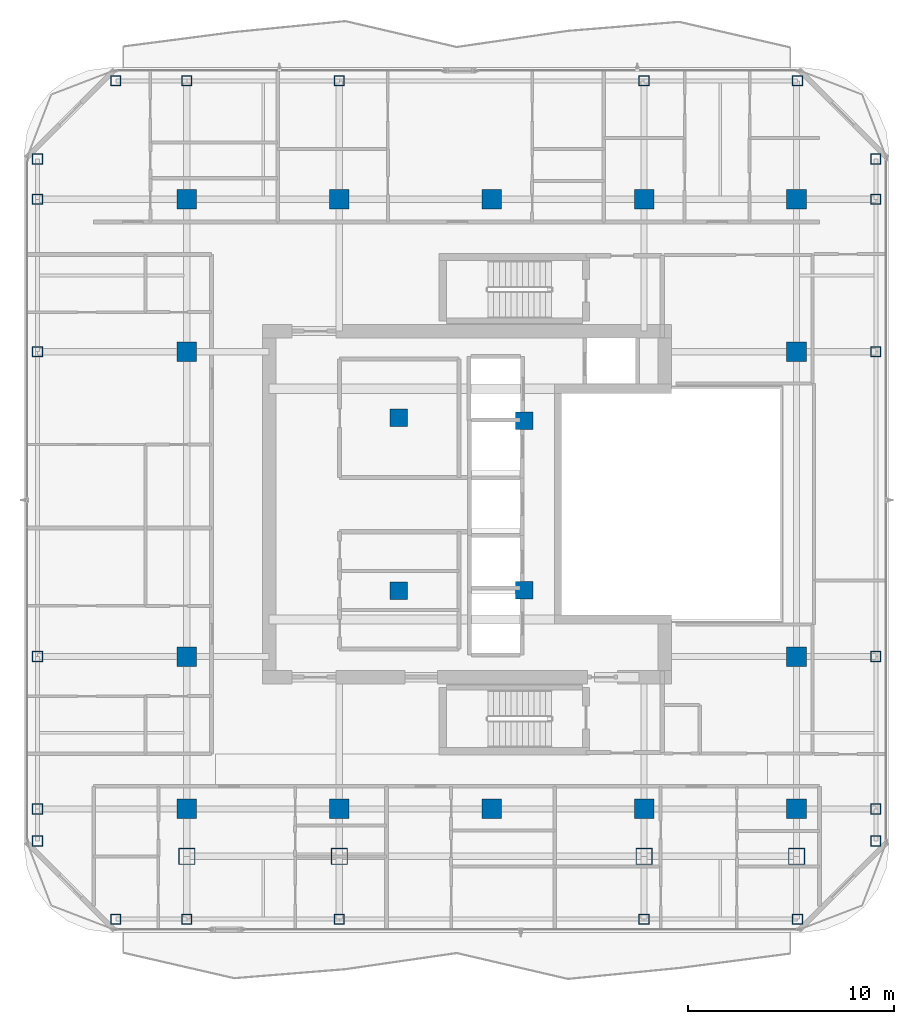
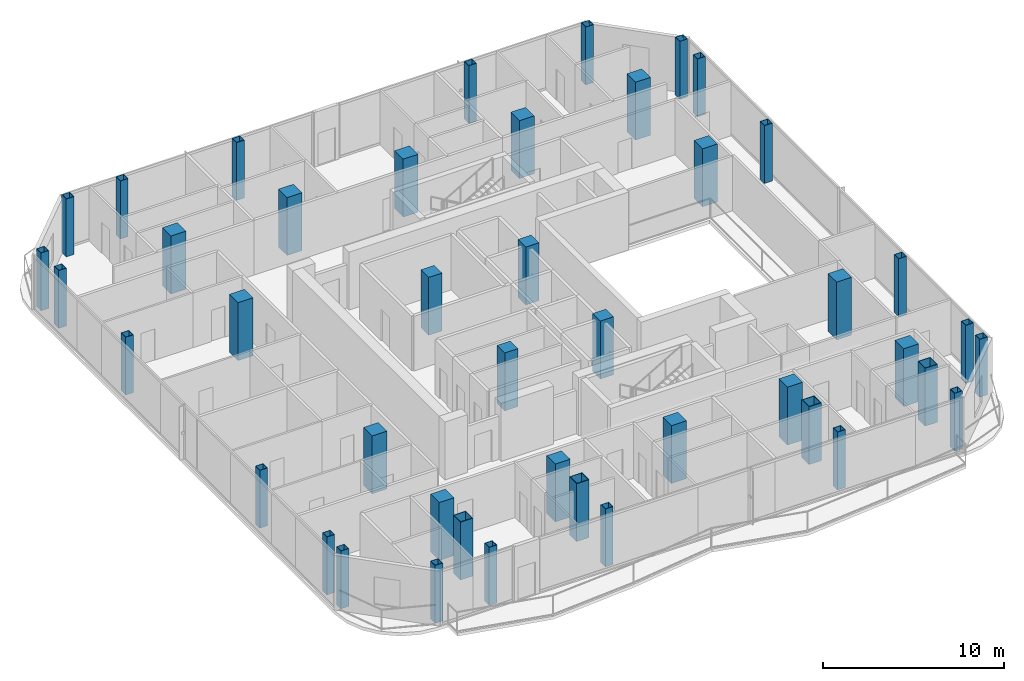
# One storey, part 1 of 26: 44 columns.
"""IFC4 building model written with IfcOpenShell, lengths in metres."""

from ifc_helpers import new_model, si_unit, direction, frame, origin, origin_2d, place, context, subcontext, project, spatial, rectangle, hollow_rectangle, extrude, material, material_profile, profile_set, type_object, element, save


model = new_model("IFC4")

# Units and contexts
model_context = context("Model", 3, precision=1e-05, world=origin(), true_north=direction((0.0, 1.0)))
body_context = subcontext(model_context, "Body", "Model", "MODEL_VIEW")
ifc_project = project(units=[si_unit("LENGTHUNIT", "METRE"), si_unit("AREAUNIT", "SQUARE_METRE"), si_unit("VOLUMEUNIT", "CUBIC_METRE"), si_unit("PLANEANGLEUNIT", "RADIAN"), si_unit("MASSUNIT", "GRAM", prefix="KILO")], contexts=[model_context])

# Site, building, storey
site_placement = place(None, origin())
site = spatial("IfcSite", under=ifc_project, at=site_placement, CompositionType="ELEMENT")
building_placement = place(site_placement, origin())
building = spatial("IfcBuilding", under=site, at=building_placement, Name="Khorvyn Point Tower", CompositionType="ELEMENT")
storey_placement = place(building_placement, frame((0.0, 0.0, 289.800048828125)))
storey = spatial("IfcBuildingStorey", under=building, at=storey_placement, Name="L71", CompositionType="ELEMENT", Elevation=289.800048828125)

# Columns
ifc_material_1 = material(Name="Concrete C40/50", Category="concrete")
ifc_material_profile_1 = material_profile(ifc_material_1, rectangle(XDim=0.85009765625, YDim=0.85009765625, at=origin_2d()))
ifc_profile_set_1 = profile_set([ifc_material_profile_1], Name="Concrete C40/50 RC850x850")
column_type_1 = type_object("IfcColumnType", Name="Concrete C40/50 Column RC850x850", PredefinedType="COLUMN", material=ifc_profile_set_1)
for number, where, z_axis, x_axis, name in (
    (1, (-4.52001953125, -4.199951171875, 0.0), (0.0, 0.0, 1.0), (1.0, 0.0, 0.0), "L71 Crown Core Spine Column 1"),
    (2, (1.580078125, -4.179931640625, 0.0), (0.0, 0.0, 1.0), (1.0, 0.0, 0.0), "L71 Crown Core Spine Column 2"),
    (3, (1.580078125, 4.050048828125, 0.0), (0.0, 0.0, 1.0), (1.0, 0.0, 0.0), "L71 Crown Core Spine Column 3"),
    (4, (-4.52001953125, 4.199951171875, 0.0), (0.0, 0.0, 1.0), (1.0, 0.0, 0.0), "L71 Crown Core Spine Column 4"),
):
    element("IfcColumn", number, at=place(storey_placement, frame(where, z_axis=z_axis, x_axis=x_axis)), inside=storey, type_object=column_type_1, Name=name, PredefinedType="COLUMN", context=body_context, shape_type="SweptSolid", body=[
        extrude(rectangle(XDim=0.85009765625, YDim=0.85009765625, at=origin_2d()), origin(), (0.0, 0.0, 1.0), 3.89990234375),
    ])
ifc_material_profile_2 = material_profile(ifc_material_1, rectangle(XDim=0.949951171875, YDim=0.949951171875, at=origin_2d()))
ifc_profile_set_2 = profile_set([ifc_material_profile_2], Name="Concrete C40/50 RC950x950")
column_type_2 = type_object("IfcColumnType", Name="Concrete C40/50 Column RC950x950", PredefinedType="COLUMN", material=ifc_profile_set_2)
for number, where, z_axis, x_axis, name in (
    (5, (-14.800048828125, -14.800048828125, 0.0), (0.0, 0.0, 1.0), (1.0, 0.0, 0.0), "L71 Mega-Column MC-01"),
    (6, (-7.39990234375, -14.800048828125, 0.0), (0.0, 0.0, 1.0), (1.0, 0.0, 0.0), "L71 Mega-Column MC-02"),
    (7, (0.0, -14.800048828125, 0.0), (0.0, 0.0, 1.0), (1.0, 0.0, 0.0), "L71 Mega-Column MC-03"),
    (8, (7.39990234375, -14.800048828125, 0.0), (0.0, 0.0, 1.0), (1.0, 0.0, 0.0), "L71 Mega-Column MC-04"),
    (9, (14.800048828125, -14.800048828125, 0.0), (0.0, 0.0, 1.0), (1.0, 0.0, 0.0), "L71 Mega-Column MC-05"),
    (10, (-14.800048828125, 14.800048828125, 0.0), (0.0, 0.0, 1.0), (1.0, 0.0, 0.0), "L71 Mega-Column MC-06"),
    (11, (-7.39990234375, 14.800048828125, 0.0), (0.0, 0.0, 1.0), (1.0, 0.0, 0.0), "L71 Mega-Column MC-07"),
    (12, (0.0, 14.800048828125, 0.0), (0.0, 0.0, 1.0), (1.0, 0.0, 0.0), "L71 Mega-Column MC-08"),
    (13, (7.39990234375, 14.800048828125, 0.0), (0.0, 0.0, 1.0), (1.0, 0.0, 0.0), "L71 Mega-Column MC-09"),
    (14, (14.800048828125, 14.800048828125, 0.0), (0.0, 0.0, 1.0), (1.0, 0.0, 0.0), "L71 Mega-Column MC-10"),
    (15, (-14.800048828125, -7.39990234375, 0.0), (0.0, 0.0, 1.0), (1.0, 0.0, 0.0), "L71 Mega-Column MC-11"),
    (16, (-14.800048828125, 7.39990234375, 0.0), (0.0, 0.0, 1.0), (1.0, 0.0, 0.0), "L71 Mega-Column MC-12"),
    (17, (14.800048828125, -7.39990234375, 0.0), (0.0, 0.0, 1.0), (1.0, 0.0, 0.0), "L71 Mega-Column MC-13"),
    (18, (14.800048828125, 7.39990234375, 0.0), (0.0, 0.0, 1.0), (1.0, 0.0, 0.0), "L71 Mega-Column MC-14"),
):
    element("IfcColumn", number, at=place(storey_placement, frame(where, z_axis=z_axis, x_axis=x_axis)), inside=storey, type_object=column_type_2, Name=name, PredefinedType="COLUMN", context=body_context, shape_type="SweptSolid", body=[
        extrude(rectangle(XDim=0.949951171875, YDim=0.949951171875, at=origin_2d()), origin(), (0.0, 0.0, 1.0), 3.89990234375),
    ])
ifc_material_2 = material(Name="Steel S355", Category="steel")
ifc_material_profile_3 = material_profile(ifc_material_2, hollow_rectangle(XDim=0.5, YDim=0.5, WallThickness=0.02490234375, at=origin_2d()))
ifc_profile_set_3 = profile_set([ifc_material_profile_3], Name="Steel S355 BOX500x500x25")
column_type_3 = type_object("IfcColumnType", Name="Steel S355 Structural Column BOX500x500x25", PredefinedType="COLUMN", material=ifc_profile_set_3)
for number, where, z_axis, x_axis, name in (
    (19, (-18.25, -20.14990234375, 0.0), (0.0, 0.0, 1.0), (1.0, 0.0, 0.0), "L71 Perimeter Tube Column TC-01"),
    (20, (14.85009765625, -20.14990234375, 0.0), (0.0, 0.0, 1.0), (1.0, 0.0, 0.0), "L71 Perimeter Tube Column TC-02"),
    (21, (-18.25, 20.550048828125, 0.0), (0.0, 0.0, 1.0), (1.0, 0.0, 0.0), "L71 Perimeter Tube Column TC-03"),
    (22, (14.85009765625, 20.550048828125, 0.0), (0.0, 0.0, 1.0), (1.0, 0.0, 0.0), "L71 Perimeter Tube Column TC-04"),
    (23, (-22.050048828125, -16.35009765625, 0.0), (0.0, 0.0, 1.0), (1.0, 0.0, 0.0), "L71 Perimeter Tube Column TC-05"),
    (24, (-22.050048828125, 16.75, 0.0), (0.0, 0.0, 1.0), (1.0, 0.0, 0.0), "L71 Perimeter Tube Column TC-06"),
    (25, (18.64990234375, -16.35009765625, 0.0), (0.0, 0.0, 1.0), (1.0, 0.0, 0.0), "L71 Perimeter Tube Column TC-07"),
    (26, (18.64990234375, 16.75, 0.0), (0.0, 0.0, 1.0), (1.0, 0.0, 0.0), "L71 Perimeter Tube Column TC-08"),
    (27, (-14.800048828125, -20.14990234375, 0.0), (0.0, 0.0, 1.0), (1.0, 0.0, 0.0), "L71 Perimeter Tube Column TC-09"),
    (28, (-14.800048828125, 20.550048828125, 0.0), (0.0, 0.0, 1.0), (1.0, 0.0, 0.0), "L71 Perimeter Tube Column TC-10"),
    (29, (-7.39990234375, -20.14990234375, 0.0), (0.0, 0.0, 1.0), (1.0, 0.0, 0.0), "L71 Perimeter Tube Column TC-11"),
    (30, (-7.39990234375, 20.550048828125, 0.0), (0.0, 0.0, 1.0), (1.0, 0.0, 0.0), "L71 Perimeter Tube Column TC-12"),
    (31, (7.39990234375, -20.14990234375, 0.0), (0.0, 0.0, 1.0), (1.0, 0.0, 0.0), "L71 Perimeter Tube Column TC-13"),
    (32, (7.39990234375, 20.550048828125, 0.0), (0.0, 0.0, 1.0), (1.0, 0.0, 0.0), "L71 Perimeter Tube Column TC-14"),
    (33, (-22.050048828125, -14.800048828125, 0.0), (0.0, 0.0, 1.0), (1.0, 0.0, 0.0), "L71 Perimeter Tube Column TC-15"),
    (34, (18.64990234375, -14.800048828125, 0.0), (0.0, 0.0, 1.0), (1.0, 0.0, 0.0), "L71 Perimeter Tube Column TC-16"),
    (35, (-22.050048828125, -7.39990234375, 0.0), (0.0, 0.0, 1.0), (1.0, 0.0, 0.0), "L71 Perimeter Tube Column TC-17"),
    (36, (18.64990234375, -7.39990234375, 0.0), (0.0, 0.0, 1.0), (1.0, 0.0, 0.0), "L71 Perimeter Tube Column TC-18"),
    (37, (-22.050048828125, 7.39990234375, 0.0), (0.0, 0.0, 1.0), (1.0, 0.0, 0.0), "L71 Perimeter Tube Column TC-19"),
    (38, (18.64990234375, 7.39990234375, 0.0), (0.0, 0.0, 1.0), (1.0, 0.0, 0.0), "L71 Perimeter Tube Column TC-20"),
    (39, (-22.050048828125, 14.800048828125, 0.0), (0.0, 0.0, 1.0), (1.0, 0.0, 0.0), "L71 Perimeter Tube Column TC-21"),
    (40, (18.64990234375, 14.800048828125, 0.0), (0.0, 0.0, 1.0), (1.0, 0.0, 0.0), "L71 Perimeter Tube Column TC-22"),
):
    element("IfcColumn", number, at=place(storey_placement, frame(where, z_axis=z_axis, x_axis=x_axis)), inside=storey, type_object=column_type_3, Name=name, PredefinedType="COLUMN", context=body_context, shape_type="SweptSolid", body=[
        extrude(hollow_rectangle(XDim=0.5, YDim=0.5, WallThickness=0.02490234375, at=origin_2d()), origin(), (0.0, 0.0, 1.0), 3.89990234375),
    ])
ifc_material_3 = material(Name="Steel S450", Category="steel")
ifc_material_profile_4 = material_profile(ifc_material_3, hollow_rectangle(XDim=0.800048828125, YDim=0.800048828125, WallThickness=0.035888671875, at=origin_2d()))
ifc_profile_set_4 = profile_set([ifc_material_profile_4], Name="Steel S450 BOX800x800x36")
column_type_4 = type_object("IfcColumnType", Name="Steel S450 Structural Column BOX800x800x36", PredefinedType="COLUMN", material=ifc_profile_set_4)
for number, where, z_axis, x_axis, name in (
    (41, (-14.800048828125, -17.10009765625, 0.0), (0.0, 0.0, 1.0), (1.0, 0.0, 0.0), "L71 Intermediate Column ICS--14"),
    (42, (-7.39990234375, -17.10009765625, 0.0), (0.0, 0.0, 1.0), (1.0, 0.0, 0.0), "L71 Intermediate Column ICS--7"),
    (43, (7.39990234375, -17.10009765625, 0.0), (0.0, 0.0, 1.0), (1.0, 0.0, 0.0), "L71 Intermediate Column ICS-7"),
    (44, (14.800048828125, -17.10009765625, 0.0), (0.0, 0.0, 1.0), (1.0, 0.0, 0.0), "L71 Intermediate Column ICS-14"),
):
    element("IfcColumn", number, at=place(storey_placement, frame(where, z_axis=z_axis, x_axis=x_axis)), inside=storey, type_object=column_type_4, Name=name, PredefinedType="COLUMN", context=body_context, shape_type="SweptSolid", body=[
        extrude(hollow_rectangle(XDim=0.800048828125, YDim=0.800048828125, WallThickness=0.035888671875, at=origin_2d()), origin(), (0.0, 0.0, 1.0), 3.89990234375),
    ])

save(model, "model.ifc")
